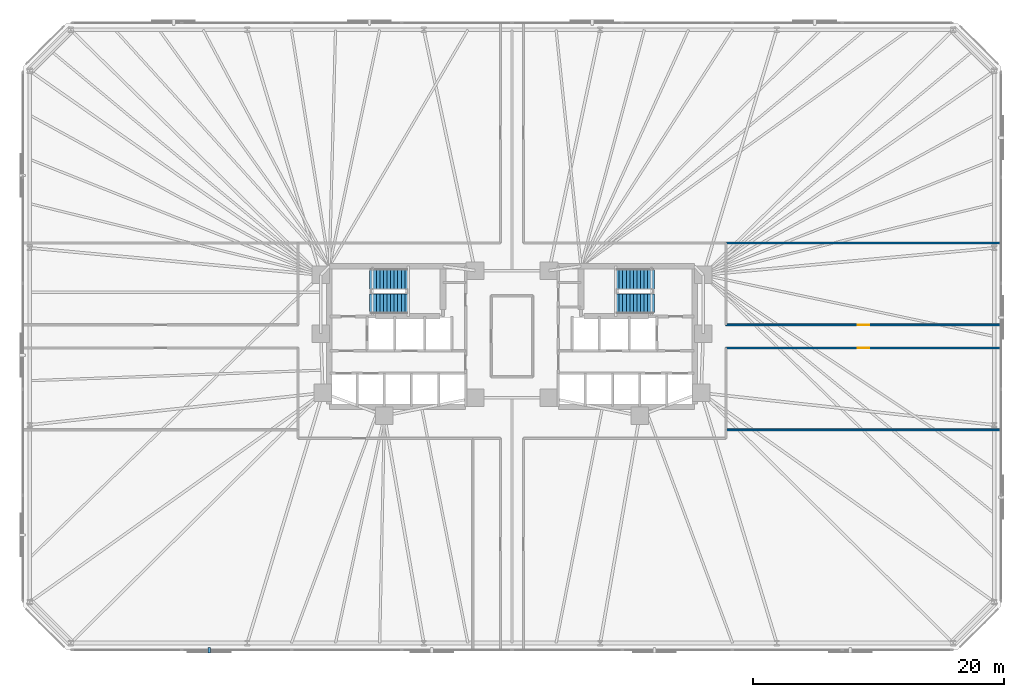
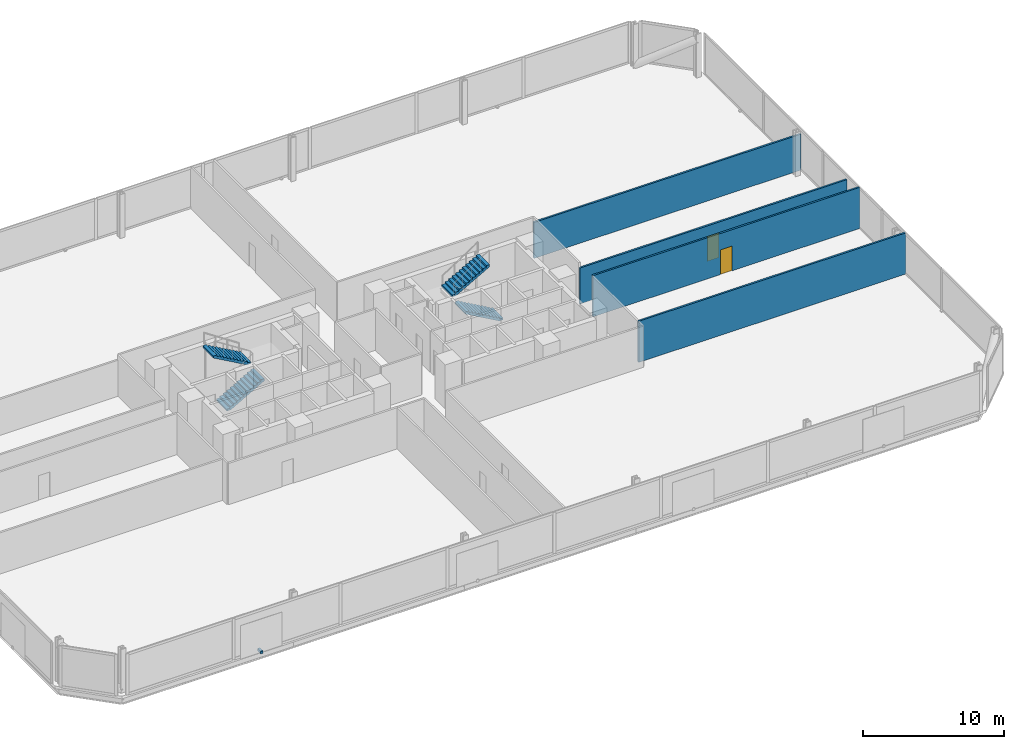
# One storey, part 14 of 16: 4 stair flights, 4 walls, 2 doors, 1 discrete accessory, 2 openings, 2 elements without a shape of their own.
"""IFC4 building model written with IfcOpenShell, lengths in metres."""

from ifc_helpers import new_model, si_unit, direction, frame, frame_2d, origin, origin_2d, place, context, subcontext, project, spatial, polyline, rectangle, outline, extrude, material, layer, layer_set, type_object, element, fill, aggregate, save


model = new_model("IFC4")

# Units and contexts
model_context = context("Model", 3, precision=1e-05, world=origin(), true_north=direction((0.0, 1.0)))
body_context = subcontext(model_context, "Body", "Model", "MODEL_VIEW")
ifc_project = project(units=[si_unit("LENGTHUNIT", "METRE"), si_unit("AREAUNIT", "SQUARE_METRE"), si_unit("VOLUMEUNIT", "CUBIC_METRE"), si_unit("PLANEANGLEUNIT", "RADIAN"), si_unit("MASSUNIT", "GRAM", prefix="KILO")], contexts=[model_context])

# Site, building, storey
site_placement = place(None, origin())
site = spatial("IfcSite", under=ifc_project, at=site_placement, CompositionType="ELEMENT")
building_placement = place(site_placement, origin())
building = spatial("IfcBuilding", under=site, at=building_placement, Name="Menara Jurai Vektor", CompositionType="ELEMENT")
storey_placement = place(building_placement, frame((0.0, 0.0, 40.800048828125)))
storey = spatial("IfcBuildingStorey", under=building, at=storey_placement, Name="L09", CompositionType="ELEMENT", Elevation=40.800048828125)

# Wall, opening, door
ifc_material_1 = material(Name="Gypsum Fireboard Partition", Category="gypsum")
ifc_layer_1 = layer(ifc_material_1, 0.14990234375)
ifc_layer_set_1 = layer_set([ifc_layer_1], Name="Gypsum Fireboard Partition")
wall_type_1 = type_object("IfcWallType", Name="INT-WALL-CORR-150", PredefinedType="PARTITIONING", material=ifc_layer_set_1)
wall_1_placement = place(storey_placement, frame((17.05908203125, -0.919921875, 0.0), z_axis=(0.0, 0.0, 1.0), x_axis=(1.0, 0.0, 0.0)))
wall_1 = element("IfcWall", 1, at=wall_1_placement, inside=storey, type_object=wall_type_1, Name="Interior Wall IW-150 L09", PredefinedType="PARTITIONING", context=body_context, shape_type="SweptSolid", body=[
    extrude(rectangle(XDim=21.94091796875, YDim=0.14990234375, at=frame_2d((10.970458984375, 0.0))), origin(), (0.0, 0.0, 1.0), 3.574951171875),
])
opening_1_placement = place(wall_1_placement, frame((10.49560546875, 0.0, 0.0)))
opening_1 = element("IfcOpeningElement", 2, at=opening_1_placement, cuts=wall_1, Name="Opening D09-12", PredefinedType="OPENING", context=body_context, shape_type="SweptSolid", body=[
    extrude(rectangle(XDim=0.949951171875, YDim=2.14990234375, at=frame_2d((0.47509765625, 1.074951171875))), frame((0.0, 0.0849609375, 0.0), z_axis=(0.0, -1.0, 0.0), x_axis=(1.0, 0.0, 0.0)), (0.0, 0.0, 1.0), 0.169921875),
])
ifc_material_2 = material(Name="Solid Core Timber Fire Door", Category="wood")
door_type = type_object("IfcDoorType", Name="DR-ENTRY-950", OperationType="NOTDEFINED", PredefinedType="DOOR", material=ifc_material_2)
door_1_placement = place(opening_1_placement, origin())
door_1 = element("IfcDoor", 3, at=door_1_placement, inside=storey, type_object=door_type, Name="Interior Door D09-12", OperationType="SINGLE_SWING_LEFT", OverallHeight=2.14990234375, OverallWidth=0.949951171875, PredefinedType="DOOR", context=body_context, shape_type="SweptSolid", body=[
    extrude(rectangle(XDim=0.949951171875, YDim=2.14990234375, at=frame_2d((0.47509765625, 1.074951171875))), frame((0.0, 0.02490234375, 0.0), z_axis=(0.0, -1.0, 0.0), x_axis=(1.0, 0.0, 0.0)), (0.0, 0.0, 1.0), 0.050048828125),
])
fill(opening_1, door_1)

# Wall
wall_2_placement = place(storey_placement, frame((17.05908203125, -7.449951171875, 0.0), z_axis=(0.0, 0.0, 1.0), x_axis=(1.0, 0.0, 0.0)))
element("IfcWall", 4, at=wall_2_placement, inside=storey, type_object=wall_type_1, Name="Interior Wall IW-150 L09", PredefinedType="PARTITIONING", context=body_context, shape_type="SweptSolid", body=[
    extrude(rectangle(XDim=21.94091796875, YDim=0.14990234375, at=frame_2d((10.970458984375, 0.0))), origin(), (0.0, 0.0, 1.0), 3.574951171875),
])

# Wall, opening, door
ifc_layer_2 = layer(ifc_material_1, 0.14990234375)
ifc_layer_set_2 = layer_set([ifc_layer_2], Name="Gypsum Fireboard Partition")
wall_type_2 = type_object("IfcWallType", Name="INT-WALL-CORR-150-H1", PredefinedType="PARTITIONING", material=ifc_layer_set_2)
wall_3_placement = place(storey_placement, frame((17.05908203125, 0.919921875, 0.0), z_axis=(0.0, 0.0, 1.0), x_axis=(1.0, 0.0, 0.0)))
wall_3 = element("IfcWall", 5, at=wall_3_placement, inside=storey, type_object=wall_type_2, Name="Interior Wall IW-150 L09", PredefinedType="PARTITIONING", context=body_context, shape_type="SweptSolid", body=[
    extrude(rectangle(XDim=21.94091796875, YDim=0.14990234375, at=frame_2d((10.970458984375, 0.0))), origin(), (0.0, 0.0, 1.0), 3.125),
])
opening_2_placement = place(wall_3_placement, frame((10.49560546875, 0.0, 0.0)))
opening_2 = element("IfcOpeningElement", 6, at=opening_2_placement, cuts=wall_3, Name="Opening D09-13", PredefinedType="OPENING", context=body_context, shape_type="SweptSolid", body=[
    extrude(rectangle(XDim=0.949951171875, YDim=2.14990234375, at=frame_2d((0.47509765625, 1.074951171875))), frame((0.0, 0.0849609375, 0.0), z_axis=(0.0, -1.0, 0.0), x_axis=(1.0, 0.0, 0.0)), (0.0, 0.0, 1.0), 0.169921875),
])
door_2_placement = place(opening_2_placement, origin())
door_2 = element("IfcDoor", 7, at=door_2_placement, inside=storey, type_object=door_type, Name="Interior Door D09-13", OperationType="SINGLE_SWING_RIGHT", OverallHeight=2.14990234375, OverallWidth=0.949951171875, PredefinedType="DOOR", context=body_context, shape_type="SweptSolid", body=[
    extrude(rectangle(XDim=0.949951171875, YDim=2.14990234375, at=frame_2d((0.47509765625, 1.074951171875))), frame((0.0, 0.02490234375, 0.0), z_axis=(0.0, -1.0, 0.0), x_axis=(1.0, 0.0, 0.0)), (0.0, 0.0, 1.0), 0.050048828125),
])
fill(opening_2, door_2)

# Wall
wall_4_placement = place(storey_placement, frame((17.05908203125, 7.449951171875, 0.0), z_axis=(0.0, 0.0, 1.0), x_axis=(1.0, 0.0, 0.0)))
element("IfcWall", 8, at=wall_4_placement, inside=storey, type_object=wall_type_2, Name="Interior Wall IW-150 L09", PredefinedType="PARTITIONING", context=body_context, shape_type="SweptSolid", body=[
    extrude(rectangle(XDim=21.94091796875, YDim=0.14990234375, at=frame_2d((10.970458984375, 0.0))), origin(), (0.0, 0.0, 1.0), 3.125),
])

# Stair, stair flights
ifc_material_3 = material(Name="Concrete C40/50", Category="concrete")
stair_type = type_object("IfcStairType", Name="STAIR-DOGLEG-1500", PredefinedType="HALF_TURN_STAIR", material=ifc_material_3)
stair_1_placement = place(storey_placement, origin())
stair_1 = element("IfcStair", 9, at=stair_1_placement, inside=storey, type_object=stair_type, Name="Protected Exit Stair ST1 L09", PredefinedType="HALF_TURN_STAIR")
stair_flight_type = type_object("IfcStairFlightType", Name="STAIR-FLIGHT-1500", PredefinedType="STRAIGHT", material=ifc_material_3)
stair_flight_1_placement = place(storey_placement, frame((-11.35009765625, 2.64990234375, 0.0), z_axis=(0.0, 0.0, 1.0), x_axis=(1.0, 0.0, 0.0)))
stair_flight_1 = element("IfcStairFlight", 10, at=stair_flight_1_placement, type_object=stair_flight_type, Name="ST1 flight 1", NumberOfRisers=12, NumberOfTreads=11, PredefinedType="STRAIGHT", RiserHeight=0.158333, TreadLength=0.28, context=body_context, shape_type="SweptSolid", body=[
    extrude(outline(polyline([(0.0, 0.0), (0.0, 0.158447265625), (0.280029296875, 0.158447265625), (0.280029296875, 0.316650390625), (0.56005859375, 0.316650390625), (0.56005859375, 0.47509765625), (0.840087890625, 0.47509765625), (0.840087890625, 0.63330078125), (1.1201171875, 0.63330078125), (1.1201171875, 0.791748046875), (1.39990234375, 0.791748046875), (1.39990234375, 0.949951171875), (1.679931640625, 0.949951171875), (1.679931640625, 1.1083984375), (1.9599609375, 1.1083984375), (1.9599609375, 1.2666015625), (2.239990234375, 1.2666015625), (2.239990234375, 1.425048828125), (2.52001953125, 1.425048828125), (2.52001953125, 1.583251953125), (2.800048828125, 1.583251953125), (2.800048828125, 1.74169921875), (3.080078125, 1.74169921875), (3.080078125, 1.89990234375), (3.080078125, 1.557861328125), (0.324951171875, 0.0), (0.0, 0.0)])), frame((0.0, 0.75, 0.0), z_axis=(0.0, -1.0, 0.0), x_axis=(1.0, 0.0, 0.0)), (0.0, 0.0, 1.0), 1.5),
])
stair_flight_2_placement = place(storey_placement, frame((-8.27001953125, 4.550048828125, 1.89990234375), z_axis=(0.0, 0.0, 1.0), x_axis=(-1.0, 0.0, 0.0)))
stair_flight_2 = element("IfcStairFlight", 11, at=stair_flight_2_placement, type_object=stair_flight_type, Name="ST1 flight 2", NumberOfRisers=12, NumberOfTreads=11, PredefinedType="STRAIGHT", RiserHeight=0.158333, TreadLength=0.28, context=body_context, shape_type="SweptSolid", body=[
    extrude(outline(polyline([(0.0, 0.0), (0.0, 0.158447265625), (0.280029296875, 0.158447265625), (0.280029296875, 0.316650390625), (0.56005859375, 0.316650390625), (0.56005859375, 0.47509765625), (0.840087890625, 0.47509765625), (0.840087890625, 0.63330078125), (1.1201171875, 0.63330078125), (1.1201171875, 0.791748046875), (1.39990234375, 0.791748046875), (1.39990234375, 0.949951171875), (1.679931640625, 0.949951171875), (1.679931640625, 1.1083984375), (1.9599609375, 1.1083984375), (1.9599609375, 1.2666015625), (2.239990234375, 1.2666015625), (2.239990234375, 1.425048828125), (2.52001953125, 1.425048828125), (2.52001953125, 1.583251953125), (2.800048828125, 1.583251953125), (2.800048828125, 1.74169921875), (3.080078125, 1.74169921875), (3.080078125, 1.89990234375), (3.080078125, 1.557861328125), (0.324951171875, 0.0), (0.0, 0.0)])), frame((0.0, 0.75, 0.0), z_axis=(0.0, -1.0, 0.0), x_axis=(1.0, 0.0, 0.0)), (0.0, 0.0, 1.0), 1.5),
])
aggregate(stair_1, [stair_flight_1, stair_flight_2])

stair_2_placement = place(storey_placement, origin())
stair_2 = element("IfcStair", 12, at=stair_2_placement, inside=storey, type_object=stair_type, Name="Protected Exit Stair ST2 L09", PredefinedType="HALF_TURN_STAIR")
stair_flight_3_placement = place(storey_placement, frame((11.35009765625, 2.64990234375, 0.0), z_axis=(0.0, 0.0, 1.0), x_axis=(-1.0, 0.0, 0.0)))
stair_flight_3 = element("IfcStairFlight", 13, at=stair_flight_3_placement, type_object=stair_flight_type, Name="ST2 flight 1", NumberOfRisers=12, NumberOfTreads=11, PredefinedType="STRAIGHT", RiserHeight=0.158333, TreadLength=0.28, context=body_context, shape_type="SweptSolid", body=[
    extrude(outline(polyline([(0.0, 0.0), (0.0, 0.158447265625), (0.280029296875, 0.158447265625), (0.280029296875, 0.316650390625), (0.56005859375, 0.316650390625), (0.56005859375, 0.47509765625), (0.840087890625, 0.47509765625), (0.840087890625, 0.63330078125), (1.1201171875, 0.63330078125), (1.1201171875, 0.791748046875), (1.39990234375, 0.791748046875), (1.39990234375, 0.949951171875), (1.679931640625, 0.949951171875), (1.679931640625, 1.1083984375), (1.9599609375, 1.1083984375), (1.9599609375, 1.2666015625), (2.239990234375, 1.2666015625), (2.239990234375, 1.425048828125), (2.52001953125, 1.425048828125), (2.52001953125, 1.583251953125), (2.800048828125, 1.583251953125), (2.800048828125, 1.74169921875), (3.080078125, 1.74169921875), (3.080078125, 1.89990234375), (3.080078125, 1.557861328125), (0.324951171875, 0.0), (0.0, 0.0)])), frame((0.0, 0.75, 0.0), z_axis=(0.0, -1.0, 0.0), x_axis=(1.0, 0.0, 0.0)), (0.0, 0.0, 1.0), 1.5),
])
stair_flight_4_placement = place(storey_placement, frame((8.27001953125, 4.550048828125, 1.89990234375), z_axis=(0.0, 0.0, 1.0), x_axis=(1.0, 0.0, 0.0)))
stair_flight_4 = element("IfcStairFlight", 14, at=stair_flight_4_placement, type_object=stair_flight_type, Name="ST2 flight 2", NumberOfRisers=12, NumberOfTreads=11, PredefinedType="STRAIGHT", RiserHeight=0.158333, TreadLength=0.28, context=body_context, shape_type="SweptSolid", body=[
    extrude(outline(polyline([(0.0, 0.0), (0.0, 0.158447265625), (0.280029296875, 0.158447265625), (0.280029296875, 0.316650390625), (0.56005859375, 0.316650390625), (0.56005859375, 0.47509765625), (0.840087890625, 0.47509765625), (0.840087890625, 0.63330078125), (1.1201171875, 0.63330078125), (1.1201171875, 0.791748046875), (1.39990234375, 0.791748046875), (1.39990234375, 0.949951171875), (1.679931640625, 0.949951171875), (1.679931640625, 1.1083984375), (1.9599609375, 1.1083984375), (1.9599609375, 1.2666015625), (2.239990234375, 1.2666015625), (2.239990234375, 1.425048828125), (2.52001953125, 1.425048828125), (2.52001953125, 1.583251953125), (2.800048828125, 1.583251953125), (2.800048828125, 1.74169921875), (3.080078125, 1.74169921875), (3.080078125, 1.89990234375), (3.080078125, 1.557861328125), (0.324951171875, 0.0), (0.0, 0.0)])), frame((0.0, 0.75, 0.0), z_axis=(0.0, -1.0, 0.0), x_axis=(1.0, 0.0, 0.0)), (0.0, 0.0, 1.0), 1.5),
])
aggregate(stair_2, [stair_flight_3, stair_flight_4])

# Discrete accessory
ifc_material_4 = material(Name="Steel S355", Category="steel")
discrete_accessory_type = type_object("IfcDiscreteAccessoryType", Name="ENV-ACC-BRACKET", PredefinedType="BRACKET", material=ifc_material_4)
discrete_accessory_placement = place(storey_placement, frame((-24.139892578125, -25.010009765625, -0.1298828125), z_axis=(0.0, 0.0, 1.0), x_axis=(1.0, 0.0, 0.0)))
element("IfcDiscreteAccessory", 15, at=discrete_accessory_placement, inside=storey, type_object=discrete_accessory_type, Name="Solar Screen Stand-Off Bracket L09-S01", PredefinedType="BRACKET", context=body_context, shape_type="SweptSolid", body=[
    extrude(rectangle(XDim=0.179931640625, YDim=0.43994140625, at=origin_2d()), origin(), (0.0, 0.0, 1.0), 0.219970703125),
])

save(model, "model.ifc")
